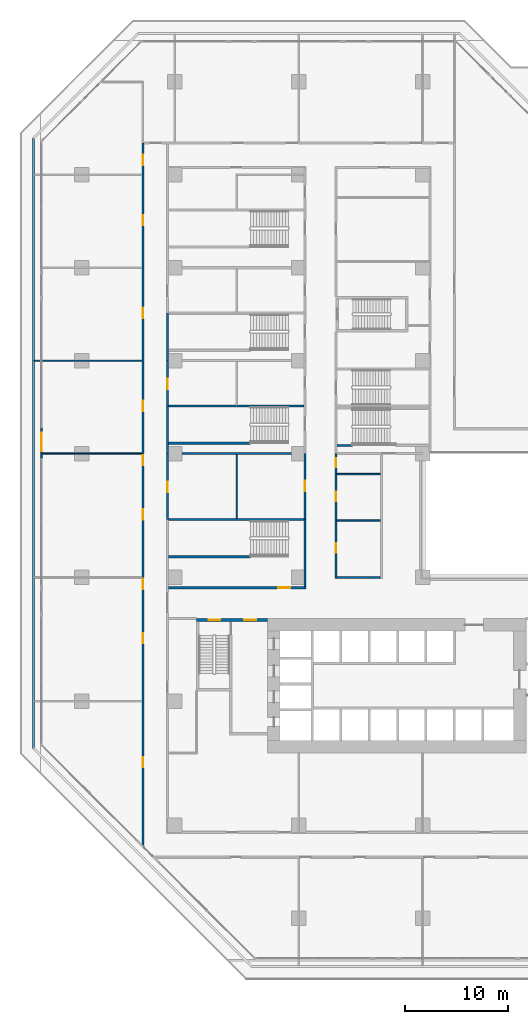
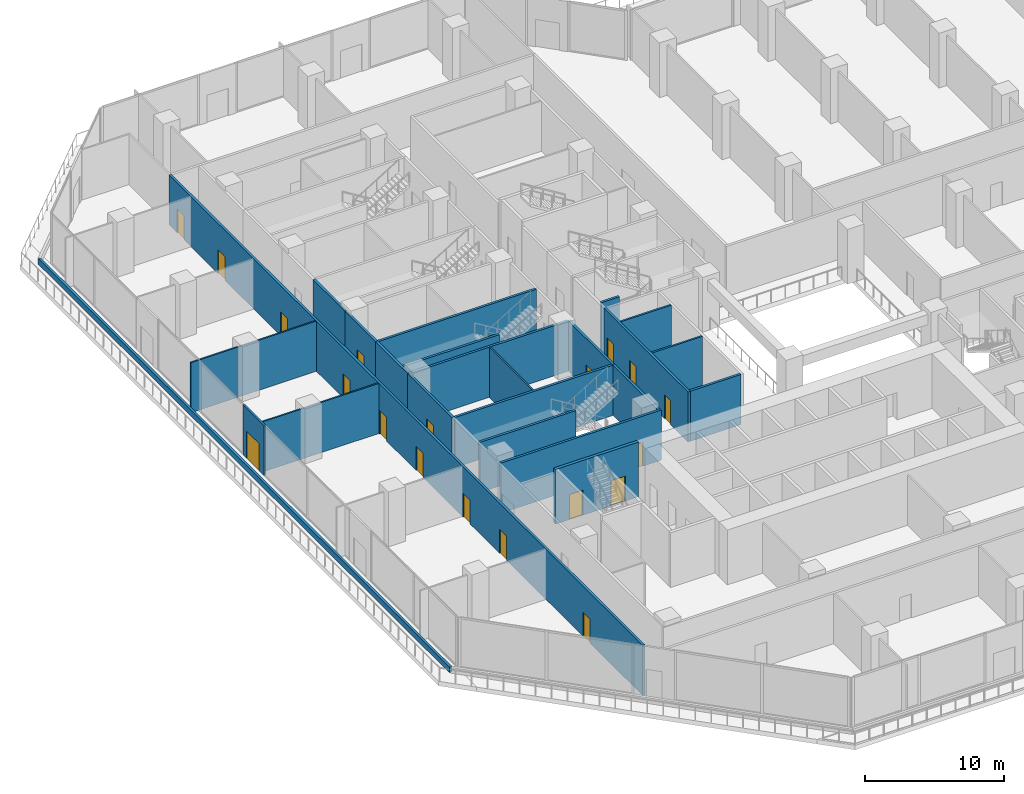
# One storey, part 17 of 31: 24 walls, 19 doors, 19 openings.
"""IFC4 building model written with IfcOpenShell, lengths in metres."""

from ifc_helpers import new_model, si_unit, direction, frame, frame_2d, origin, place, context, subcontext, project, spatial, rectangle, extrude, material, layer, layer_set, type_object, element, fill, save


model = new_model("IFC4")

# Units and contexts
model_context = context("Model", 3, precision=1e-05, world=origin(), true_north=direction((0.0, 1.0)))
body_context = subcontext(model_context, "Body", "Model", "MODEL_VIEW")
ifc_project = project(units=[si_unit("LENGTHUNIT", "METRE"), si_unit("AREAUNIT", "SQUARE_METRE"), si_unit("VOLUMEUNIT", "CUBIC_METRE"), si_unit("PLANEANGLEUNIT", "RADIAN"), si_unit("MASSUNIT", "GRAM", prefix="KILO")], contexts=[model_context])

# Site, building, storey
site_placement = place(None, origin())
site = spatial("IfcSite", under=ifc_project, at=site_placement, CompositionType="ELEMENT")
building_placement = place(site_placement, origin())
building = spatial("IfcBuilding", under=site, at=building_placement, Name="Chenar Terraces", CompositionType="ELEMENT")
storey_placement = place(building_placement, frame((0.0, 0.0, 7.199951171875)))
storey = spatial("IfcBuildingStorey", under=building, at=storey_placement, Name="L01", CompositionType="ELEMENT", Elevation=7.199951171875)

# Walls
ifc_material_1 = material(Name="Gypsum board on steel studs with mineral wool", Category="steel")
ifc_layer_1 = layer(ifc_material_1, 0.125)
ifc_layer_set_1 = layer_set([ifc_layer_1], Name="Gypsum board on steel studs with mineral wool")
wall_type_1 = type_object("IfcWallType", Name="Acoustic partition 125", PredefinedType="PARTITIONING", material=ifc_layer_set_1)
wall_1_placement = place(storey_placement, frame((-13.60009765625, 45.0, 0.0), z_axis=(0.0, 0.0, 1.0), x_axis=(1.0, 0.0, 0.0)))
element("IfcWall", 1, at=wall_1_placement, inside=storey, type_object=wall_type_1, Name="Partition L01-003", PredefinedType="PARTITIONING", context=body_context, shape_type="SweptSolid", body=[
    extrude(rectangle(XDim=10.400146484375, YDim=0.125, at=frame_2d((5.2001953125, 0.0))), origin(), (0.0, 0.0, 1.0), 4.400146484375),
])
wall_2_placement = place(storey_placement, frame((-12.85107421875, 36.0, 0.0), z_axis=(0.0, 0.0, 1.0), x_axis=(1.0, 0.0, 0.0)))
element("IfcWall", 2, at=wall_2_placement, inside=storey, type_object=wall_type_1, Name="Partition L01-006", PredefinedType="PARTITIONING", context=body_context, shape_type="SweptSolid", body=[
    extrude(rectangle(XDim=9.651123046875, YDim=0.125, at=frame_2d((4.82568359375, 0.0))), origin(), (0.0, 0.0, 1.0), 4.400146484375),
])
wall_3_placement = place(storey_placement, frame((6.0, 29.699951171875, 0.0), z_axis=(0.0, 0.0, 1.0), x_axis=(0.0, 1.0, 0.0)))
element("IfcWall", 3, at=wall_3_placement, inside=storey, type_object=wall_type_1, Name="Partition L01-036", PredefinedType="PARTITIONING", context=body_context, shape_type="SweptSolid", body=[
    extrude(rectangle(XDim=6.199951171875, YDim=0.125, at=frame_2d((3.10009765625, 0.0))), origin(), (0.0, 0.0, 1.0), 4.400146484375),
])

# Wall, openings, doors
ifc_material_2 = material(Name="Concrete C70/85", Category="concrete")
ifc_layer_2 = layer(ifc_material_2, 0.25)
ifc_layer_set_2 = layer_set([ifc_layer_2], Name="Concrete C70/85")
wall_type_2 = type_object("IfcWallType", Name="Core wall 250 Concrete C70/85", PredefinedType="SHEAR", material=ifc_layer_set_2)
wall_4_placement = place(storey_placement, frame((2.10009765625, 19.875, 0.0), z_axis=(0.0, 0.0, 1.0), x_axis=(1.0, 0.0, 0.0)))
wall_4 = element("IfcWall", 4, at=wall_4_placement, inside=storey, type_object=wall_type_2, Name="Core wall A_N L01", PredefinedType="SHEAR", context=body_context, shape_type="SweptSolid", body=[
    extrude(rectangle(XDim=6.89990234375, YDim=0.25, at=frame_2d((3.449951171875, 0.0))), origin(), (0.0, 0.0, 1.0), 4.800048828125),
])
opening_1_placement = place(wall_4_placement, frame((1.175048828125, 0.0, 0.0)))
opening_1 = element("IfcOpeningElement", 5, at=opening_1_placement, cuts=wall_4, Name="Opening DL01-C5", PredefinedType="OPENING", context=body_context, shape_type="SweptSolid", body=[
    extrude(rectangle(XDim=1.10009765625, YDim=2.199951171875, at=frame_2d((0.550048828125, 1.10009765625))), frame((0.0, 0.135009765625, 0.0), z_axis=(0.0, -1.0, 0.0), x_axis=(1.0, 0.0, 0.0)), (0.0, 0.0, 1.0), 0.27001953125),
])
opening_2_placement = place(wall_4_placement, frame((4.60009765625, 0.0, 0.0)))
opening_2 = element("IfcOpeningElement", 6, at=opening_2_placement, cuts=wall_4, Name="Opening DL01-C6", PredefinedType="OPENING", context=body_context, shape_type="SweptSolid", body=[
    extrude(rectangle(XDim=1.199951171875, YDim=2.199951171875, at=frame_2d((0.60009765625, 1.10009765625))), frame((0.0, 0.135009765625, 0.0), z_axis=(0.0, -1.0, 0.0), x_axis=(1.0, 0.0, 0.0)), (0.0, 0.0, 1.0), 0.27001953125),
])
ifc_material_3 = material(Name="Steel-framed fire-resisting door leaf", Category="steel")
door_type_1 = type_object("IfcDoorType", Name="Lobby fire door FD60 1200 x 2200", OperationType="SINGLE_SWING_LEFT", PredefinedType="DOOR", material=ifc_material_3)
door_1_placement = place(opening_2_placement, frame((1.199951171875, 0.0, 0.0), z_axis=(0.0, 0.0, 1.0), x_axis=(-1.0, 0.0, 0.0)))
door_1 = element("IfcDoor", 7, at=door_1_placement, inside=storey, type_object=door_type_1, Name="Core door DL01-C6", OperationType="SINGLE_SWING_LEFT", OverallHeight=2.199951171875, OverallWidth=1.199951171875, PredefinedType="DOOR", context=body_context, shape_type="SweptSolid", body=[
    extrude(rectangle(XDim=1.199951171875, YDim=2.199951171875, at=frame_2d((0.60009765625, 1.10009765625))), frame((0.0, 0.02490234375, 0.0), z_axis=(0.0, -1.0, 0.0), x_axis=(1.0, 0.0, 0.0)), (0.0, 0.0, 1.0), 0.050048828125),
])
fill(opening_2, door_1)
ifc_material_4 = material(Name="Steel-framed fire-resisting door leaf", Category="steel")
door_type_2 = type_object("IfcDoorType", Name="Stair fire door FD60 1100 x 2200", OperationType="SINGLE_SWING_LEFT", PredefinedType="DOOR", material=ifc_material_4)
door_2_placement = place(opening_1_placement, origin())
door_2 = element("IfcDoor", 8, at=door_2_placement, inside=storey, type_object=door_type_2, Name="Stair door DL01-C5", OperationType="SINGLE_SWING_LEFT", OverallHeight=2.199951171875, OverallWidth=1.10009765625, PredefinedType="DOOR", context=body_context, shape_type="SweptSolid", body=[
    extrude(rectangle(XDim=1.10009765625, YDim=2.199951171875, at=frame_2d((0.550048828125, 1.10009765625))), frame((0.0, 0.02490234375, 0.0), z_axis=(0.0, -1.0, 0.0), x_axis=(1.0, 0.0, 0.0)), (0.0, 0.0, 1.0), 0.050048828125),
])
fill(opening_1, door_2)

ifc_material_5 = material(Name="Gypsum board on steel studs with fire boards", Category="steel")
ifc_layer_3 = layer(ifc_material_5, 0.199951171875)
ifc_layer_set_3 = layer_set([ifc_layer_3], Name="Gypsum board on steel studs with fire boards")
wall_type_3 = type_object("IfcWallType", Name="Corridor wall 200", PredefinedType="PARTITIONING", material=ifc_layer_set_3)
wall_5_placement = place(storey_placement, frame((-3.10009765625, -1.952880859375, 0.0), z_axis=(0.0, 0.0, 1.0), x_axis=(0.0, 1.0, 0.0)))
wall_5 = element("IfcWall", 9, at=wall_5_placement, inside=storey, type_object=wall_type_3, Name="Partition L01-008", PredefinedType="PARTITIONING", context=body_context, shape_type="SweptSolid", body=[
    extrude(rectangle(XDim=68.052978515625, YDim=0.199951171875, at=frame_2d((34.0263671875, 0.0))), origin(), (0.0, 0.0, 1.0), 4.400146484375),
])
opening_3_placement = place(wall_5_placement, frame((7.552978515625, 0.0, 0.0)))
opening_3 = element("IfcOpeningElement", 10, at=opening_3_placement, cuts=wall_5, Name="Opening DL01-71", PredefinedType="OPENING", context=body_context, shape_type="SweptSolid", body=[
    extrude(rectangle(XDim=1.0, YDim=2.10009765625, at=frame_2d((0.5, 1.050048828125))), frame((0.0, 0.10986328125, 0.0), z_axis=(0.0, -1.0, 0.0), x_axis=(1.0, 0.0, 0.0)), (0.0, 0.0, 1.0), 0.219970703125),
])
opening_4_placement = place(wall_5_placement, frame((19.552978515625, 0.0, 0.0)))
opening_4 = element("IfcOpeningElement", 11, at=opening_4_placement, cuts=wall_5, Name="Opening DL01-72", PredefinedType="OPENING", context=body_context, shape_type="SweptSolid", body=[
    extrude(rectangle(XDim=1.0, YDim=2.10009765625, at=frame_2d((0.5, 1.050048828125))), frame((0.0, 0.10986328125, 0.0), z_axis=(0.0, -1.0, 0.0), x_axis=(1.0, 0.0, 0.0)), (0.0, 0.0, 1.0), 0.219970703125),
])
opening_5_placement = place(wall_5_placement, frame((24.802978515625, 0.0, 0.0)))
opening_5 = element("IfcOpeningElement", 12, at=opening_5_placement, cuts=wall_5, Name="Opening DL01-73", PredefinedType="OPENING", context=body_context, shape_type="SweptSolid", body=[
    extrude(rectangle(XDim=1.0, YDim=2.10009765625, at=frame_2d((0.5, 1.050048828125))), frame((0.0, 0.10986328125, 0.0), z_axis=(0.0, -1.0, 0.0), x_axis=(1.0, 0.0, 0.0)), (0.0, 0.0, 1.0), 0.219970703125),
])
opening_6_placement = place(wall_5_placement, frame((31.552978515625, 0.0, 0.0)))
opening_6 = element("IfcOpeningElement", 13, at=opening_6_placement, cuts=wall_5, Name="Opening DL01-74", PredefinedType="OPENING", context=body_context, shape_type="SweptSolid", body=[
    extrude(rectangle(XDim=1.0, YDim=2.10009765625, at=frame_2d((0.5, 1.050048828125))), frame((0.0, 0.10986328125, 0.0), z_axis=(0.0, -1.0, 0.0), x_axis=(1.0, 0.0, 0.0)), (0.0, 0.0, 1.0), 0.219970703125),
])
opening_7_placement = place(wall_5_placement, frame((36.802978515625, 0.0, 0.0)))
opening_7 = element("IfcOpeningElement", 14, at=opening_7_placement, cuts=wall_5, Name="Opening DL01-75", PredefinedType="OPENING", context=body_context, shape_type="SweptSolid", body=[
    extrude(rectangle(XDim=1.0, YDim=2.10009765625, at=frame_2d((0.5, 1.050048828125))), frame((0.0, 0.10986328125, 0.0), z_axis=(0.0, -1.0, 0.0), x_axis=(1.0, 0.0, 0.0)), (0.0, 0.0, 1.0), 0.219970703125),
])
opening_8_placement = place(wall_5_placement, frame((42.052978515625, 0.0, 0.0)))
opening_8 = element("IfcOpeningElement", 15, at=opening_8_placement, cuts=wall_5, Name="Opening DL01-76", PredefinedType="OPENING", context=body_context, shape_type="SweptSolid", body=[
    extrude(rectangle(XDim=1.0, YDim=2.10009765625, at=frame_2d((0.5, 1.050048828125))), frame((0.0, 0.10986328125, 0.0), z_axis=(0.0, -1.0, 0.0), x_axis=(1.0, 0.0, 0.0)), (0.0, 0.0, 1.0), 0.219970703125),
])
opening_9_placement = place(wall_5_placement, frame((51.052978515625, 0.0, 0.0)))
opening_9 = element("IfcOpeningElement", 16, at=opening_9_placement, cuts=wall_5, Name="Opening DL01-77", PredefinedType="OPENING", context=body_context, shape_type="SweptSolid", body=[
    extrude(rectangle(XDim=1.0, YDim=2.10009765625, at=frame_2d((0.5, 1.050048828125))), frame((0.0, 0.10986328125, 0.0), z_axis=(0.0, -1.0, 0.0), x_axis=(1.0, 0.0, 0.0)), (0.0, 0.0, 1.0), 0.219970703125),
])
opening_10_placement = place(wall_5_placement, frame((60.052978515625, 0.0, 0.0)))
opening_10 = element("IfcOpeningElement", 17, at=opening_10_placement, cuts=wall_5, Name="Opening DL01-78", PredefinedType="OPENING", context=body_context, shape_type="SweptSolid", body=[
    extrude(rectangle(XDim=1.0, YDim=2.10009765625, at=frame_2d((0.5, 1.050048828125))), frame((0.0, 0.10986328125, 0.0), z_axis=(0.0, -1.0, 0.0), x_axis=(1.0, 0.0, 0.0)), (0.0, 0.0, 1.0), 0.219970703125),
])
opening_11_placement = place(wall_5_placement, frame((65.903076171875, 0.0, 0.0)))
opening_11 = element("IfcOpeningElement", 18, at=opening_11_placement, cuts=wall_5, Name="Opening DL01-79", PredefinedType="OPENING", context=body_context, shape_type="SweptSolid", body=[
    extrude(rectangle(XDim=1.0, YDim=2.10009765625, at=frame_2d((0.5, 1.050048828125))), frame((0.0, 0.10986328125, 0.0), z_axis=(0.0, -1.0, 0.0), x_axis=(1.0, 0.0, 0.0)), (0.0, 0.0, 1.0), 0.219970703125),
])
ifc_material_6 = material(Name="Steel-framed fire-resisting door leaf", Category="steel")
door_type_3 = type_object("IfcDoorType", Name="Fire door FD60 1000 x 2100", OperationType="SINGLE_SWING_LEFT", PredefinedType="DOOR", material=ifc_material_6)
door_3_placement = place(opening_3_placement, origin())
door_3 = element("IfcDoor", 19, at=door_3_placement, inside=storey, type_object=door_type_3, Name="Door DL01-71", OperationType="SINGLE_SWING_RIGHT", OverallHeight=2.10009765625, OverallWidth=1.0, PredefinedType="DOOR", context=body_context, shape_type="SweptSolid", body=[
    extrude(rectangle(XDim=1.0, YDim=2.10009765625, at=frame_2d((0.5, 1.050048828125))), frame((0.0, 0.02490234375, 0.0), z_axis=(0.0, -1.0, 0.0), x_axis=(1.0, 0.0, 0.0)), (0.0, 0.0, 1.0), 0.050048828125),
])
fill(opening_3, door_3)
door_4_placement = place(opening_4_placement, frame((1.0, 0.0, 0.0), z_axis=(0.0, 0.0, 1.0), x_axis=(-1.0, 0.0, 0.0)))
door_4 = element("IfcDoor", 20, at=door_4_placement, inside=storey, type_object=door_type_3, Name="Door DL01-72", OperationType="SINGLE_SWING_LEFT", OverallHeight=2.10009765625, OverallWidth=1.0, PredefinedType="DOOR", context=body_context, shape_type="SweptSolid", body=[
    extrude(rectangle(XDim=1.0, YDim=2.10009765625, at=frame_2d((0.5, 1.050048828125))), frame((0.0, 0.02490234375, 0.0), z_axis=(0.0, -1.0, 0.0), x_axis=(1.0, 0.0, 0.0)), (0.0, 0.0, 1.0), 0.050048828125),
])
fill(opening_4, door_4)
door_5_placement = place(opening_5_placement, frame((1.0, 0.0, 0.0), z_axis=(0.0, 0.0, 1.0), x_axis=(-1.0, 0.0, 0.0)))
door_5 = element("IfcDoor", 21, at=door_5_placement, inside=storey, type_object=door_type_3, Name="Door DL01-73", OperationType="SINGLE_SWING_LEFT", OverallHeight=2.10009765625, OverallWidth=1.0, PredefinedType="DOOR", context=body_context, shape_type="SweptSolid", body=[
    extrude(rectangle(XDim=1.0, YDim=2.10009765625, at=frame_2d((0.5, 1.050048828125))), frame((0.0, 0.02490234375, 0.0), z_axis=(0.0, -1.0, 0.0), x_axis=(1.0, 0.0, 0.0)), (0.0, 0.0, 1.0), 0.050048828125),
])
fill(opening_5, door_5)
door_6_placement = place(opening_6_placement, origin())
door_6 = element("IfcDoor", 22, at=door_6_placement, inside=storey, type_object=door_type_3, Name="Door DL01-74", OperationType="SINGLE_SWING_RIGHT", OverallHeight=2.10009765625, OverallWidth=1.0, PredefinedType="DOOR", context=body_context, shape_type="SweptSolid", body=[
    extrude(rectangle(XDim=1.0, YDim=2.10009765625, at=frame_2d((0.5, 1.050048828125))), frame((0.0, 0.02490234375, 0.0), z_axis=(0.0, -1.0, 0.0), x_axis=(1.0, 0.0, 0.0)), (0.0, 0.0, 1.0), 0.050048828125),
])
fill(opening_6, door_6)
door_7_placement = place(opening_7_placement, origin())
door_7 = element("IfcDoor", 23, at=door_7_placement, inside=storey, type_object=door_type_3, Name="Door DL01-75", OperationType="SINGLE_SWING_RIGHT", OverallHeight=2.10009765625, OverallWidth=1.0, PredefinedType="DOOR", context=body_context, shape_type="SweptSolid", body=[
    extrude(rectangle(XDim=1.0, YDim=2.10009765625, at=frame_2d((0.5, 1.050048828125))), frame((0.0, 0.02490234375, 0.0), z_axis=(0.0, -1.0, 0.0), x_axis=(1.0, 0.0, 0.0)), (0.0, 0.0, 1.0), 0.050048828125),
])
fill(opening_7, door_7)
door_8_placement = place(opening_8_placement, origin())
door_8 = element("IfcDoor", 24, at=door_8_placement, inside=storey, type_object=door_type_3, Name="Door DL01-76", OperationType="SINGLE_SWING_LEFT", OverallHeight=2.10009765625, OverallWidth=1.0, PredefinedType="DOOR", context=body_context, shape_type="SweptSolid", body=[
    extrude(rectangle(XDim=1.0, YDim=2.10009765625, at=frame_2d((0.5, 1.050048828125))), frame((0.0, 0.02490234375, 0.0), z_axis=(0.0, -1.0, 0.0), x_axis=(1.0, 0.0, 0.0)), (0.0, 0.0, 1.0), 0.050048828125),
])
fill(opening_8, door_8)
door_9_placement = place(opening_9_placement, origin())
door_9 = element("IfcDoor", 25, at=door_9_placement, inside=storey, type_object=door_type_3, Name="Door DL01-77", OperationType="SINGLE_SWING_LEFT", OverallHeight=2.10009765625, OverallWidth=1.0, PredefinedType="DOOR", context=body_context, shape_type="SweptSolid", body=[
    extrude(rectangle(XDim=1.0, YDim=2.10009765625, at=frame_2d((0.5, 1.050048828125))), frame((0.0, 0.02490234375, 0.0), z_axis=(0.0, -1.0, 0.0), x_axis=(1.0, 0.0, 0.0)), (0.0, 0.0, 1.0), 0.050048828125),
])
fill(opening_9, door_9)
door_10_placement = place(opening_10_placement, origin())
door_10 = element("IfcDoor", 26, at=door_10_placement, inside=storey, type_object=door_type_3, Name="Door DL01-78", OperationType="SINGLE_SWING_LEFT", OverallHeight=2.10009765625, OverallWidth=1.0, PredefinedType="DOOR", context=body_context, shape_type="SweptSolid", body=[
    extrude(rectangle(XDim=1.0, YDim=2.10009765625, at=frame_2d((0.5, 1.050048828125))), frame((0.0, 0.02490234375, 0.0), z_axis=(0.0, -1.0, 0.0), x_axis=(1.0, 0.0, 0.0)), (0.0, 0.0, 1.0), 0.050048828125),
])
fill(opening_10, door_10)
door_11_placement = place(opening_11_placement, origin())
door_11 = element("IfcDoor", 27, at=door_11_placement, inside=storey, type_object=door_type_3, Name="Door DL01-79", OperationType="SINGLE_SWING_LEFT", OverallHeight=2.10009765625, OverallWidth=1.0, PredefinedType="DOOR", context=body_context, shape_type="SweptSolid", body=[
    extrude(rectangle(XDim=1.0, YDim=2.10009765625, at=frame_2d((0.5, 1.050048828125))), frame((0.0, 0.02490234375, 0.0), z_axis=(0.0, -1.0, 0.0), x_axis=(1.0, 0.0, 0.0)), (0.0, 0.0, 1.0), 0.050048828125),
])
fill(opening_11, door_11)

# Wall, opening, door
wall_6_placement = place(storey_placement, frame((-0.699951171875, 29.60009765625, 0.0), z_axis=(0.0, 0.0, 1.0), x_axis=(0.0, 1.0, 0.0)))
wall_6 = element("IfcWall", 28, at=wall_6_placement, inside=storey, type_object=wall_type_3, Name="Partition L01-015", PredefinedType="PARTITIONING", context=body_context, shape_type="SweptSolid", body=[
    extrude(rectangle(XDim=6.39990234375, YDim=0.199951171875, at=frame_2d((3.199951171875, 0.0))), origin(), (0.0, 0.0, 1.0), 4.400146484375),
])
opening_12_placement = place(wall_6_placement, frame((2.64990234375, 0.0, 0.0)))
opening_12 = element("IfcOpeningElement", 29, at=opening_12_placement, cuts=wall_6, Name="Opening DL01-37", PredefinedType="OPENING", context=body_context, shape_type="SweptSolid", body=[
    extrude(rectangle(XDim=1.0, YDim=2.10009765625, at=frame_2d((0.5, 1.050048828125))), frame((0.0, 0.10986328125, 0.0), z_axis=(0.0, -1.0, 0.0), x_axis=(1.0, 0.0, 0.0)), (0.0, 0.0, 1.0), 0.219970703125),
])
door_12_placement = place(opening_12_placement, frame((1.0, 0.0, 0.0), z_axis=(0.0, 0.0, 1.0), x_axis=(-1.0, 0.0, 0.0)))
door_12 = element("IfcDoor", 30, at=door_12_placement, inside=storey, type_object=door_type_3, Name="Door DL01-37", OperationType="SINGLE_SWING_LEFT", OverallHeight=2.10009765625, OverallWidth=1.0, PredefinedType="DOOR", context=body_context, shape_type="SweptSolid", body=[
    extrude(rectangle(XDim=1.0, YDim=2.10009765625, at=frame_2d((0.5, 1.050048828125))), frame((0.0, 0.02490234375, 0.0), z_axis=(0.0, -1.0, 0.0), x_axis=(1.0, 0.0, 0.0)), (0.0, 0.0, 1.0), 0.050048828125),
])
fill(opening_12, door_12)

wall_7_placement = place(storey_placement, frame((-0.699951171875, 40.60009765625, 0.0), z_axis=(0.0, 0.0, 1.0), x_axis=(0.0, 1.0, 0.0)))
wall_7 = element("IfcWall", 31, at=wall_7_placement, inside=storey, type_object=wall_type_3, Name="Partition L01-017", PredefinedType="PARTITIONING", context=body_context, shape_type="SweptSolid", body=[
    extrude(rectangle(XDim=4.39990234375, YDim=0.199951171875, at=frame_2d((2.199951171875, 0.0))), origin(), (0.0, 0.0, 1.0), 4.400146484375),
])
opening_13_placement = place(wall_7_placement, frame((1.64990234375, 0.0, 0.0)))
opening_13 = element("IfcOpeningElement", 32, at=opening_13_placement, cuts=wall_7, Name="Opening DL01-38", PredefinedType="OPENING", context=body_context, shape_type="SweptSolid", body=[
    extrude(rectangle(XDim=1.0, YDim=2.10009765625, at=frame_2d((0.5, 1.050048828125))), frame((0.0, 0.10986328125, 0.0), z_axis=(0.0, -1.0, 0.0), x_axis=(1.0, 0.0, 0.0)), (0.0, 0.0, 1.0), 0.219970703125),
])
door_13_placement = place(opening_13_placement, frame((1.0, 0.0, 0.0), z_axis=(0.0, 0.0, 1.0), x_axis=(-1.0, 0.0, 0.0)))
door_13 = element("IfcDoor", 33, at=door_13_placement, inside=storey, type_object=door_type_3, Name="Door DL01-38", OperationType="SINGLE_SWING_LEFT", OverallHeight=2.10009765625, OverallWidth=1.0, PredefinedType="DOOR", context=body_context, shape_type="SweptSolid", body=[
    extrude(rectangle(XDim=1.0, YDim=2.10009765625, at=frame_2d((0.5, 1.050048828125))), frame((0.0, 0.02490234375, 0.0), z_axis=(0.0, -1.0, 0.0), x_axis=(1.0, 0.0, 0.0)), (0.0, 0.0, 1.0), 0.050048828125),
])
fill(opening_13, door_13)

wall_8_placement = place(storey_placement, frame((12.60009765625, 29.60009765625, 0.0), z_axis=(0.0, 0.0, 1.0), x_axis=(0.0, 1.0, 0.0)))
wall_8 = element("IfcWall", 34, at=wall_8_placement, inside=storey, type_object=wall_type_3, Name="Partition L01-044", PredefinedType="PARTITIONING", context=body_context, shape_type="SweptSolid", body=[
    extrude(rectangle(XDim=6.39990234375, YDim=0.199951171875, at=frame_2d((3.199951171875, 0.0))), origin(), (0.0, 0.0, 1.0), 4.400146484375),
])
opening_14_placement = place(wall_8_placement, frame((2.75, 0.0, 0.0)))
opening_14 = element("IfcOpeningElement", 35, at=opening_14_placement, cuts=wall_8, Name="Opening DL01-12", PredefinedType="OPENING", context=body_context, shape_type="SweptSolid", body=[
    extrude(rectangle(XDim=1.0, YDim=2.10009765625, at=frame_2d((0.5, 1.050048828125))), frame((0.0, 0.10986328125, 0.0), z_axis=(0.0, -1.0, 0.0), x_axis=(1.0, 0.0, 0.0)), (0.0, 0.0, 1.0), 0.219970703125),
])
door_14_placement = place(opening_14_placement, origin())
door_14 = element("IfcDoor", 36, at=door_14_placement, inside=storey, type_object=door_type_3, Name="Door DL01-12", OperationType="SINGLE_SWING_RIGHT", OverallHeight=2.10009765625, OverallWidth=1.0, PredefinedType="DOOR", context=body_context, shape_type="SweptSolid", body=[
    extrude(rectangle(XDim=1.0, YDim=2.10009765625, at=frame_2d((0.5, 1.050048828125))), frame((0.0, 0.02490234375, 0.0), z_axis=(0.0, -1.0, 0.0), x_axis=(1.0, 0.0, 0.0)), (0.0, 0.0, 1.0), 0.050048828125),
])
fill(opening_14, door_14)

# Wall, openings, doors
wall_9_placement = place(storey_placement, frame((15.60009765625, 23.89990234375, 0.0), z_axis=(0.0, 0.0, 1.0), x_axis=(0.0, 1.0, 0.0)))
wall_9 = element("IfcWall", 37, at=wall_9_placement, inside=storey, type_object=wall_type_3, Name="Partition L01-052", PredefinedType="PARTITIONING", context=body_context, shape_type="SweptSolid", body=[
    extrude(rectangle(XDim=12.10009765625, YDim=0.199951171875, at=frame_2d((6.050048828125, 0.0))), origin(), (0.0, 0.0, 1.0), 4.400146484375),
])
opening_15_placement = place(wall_9_placement, frame((10.75, 0.0, 0.0)))
opening_15 = element("IfcOpeningElement", 38, at=opening_15_placement, cuts=wall_9, Name="Opening DL01-89", PredefinedType="OPENING", context=body_context, shape_type="SweptSolid", body=[
    extrude(rectangle(XDim=0.89990234375, YDim=2.10009765625, at=frame_2d((0.449951171875, 1.050048828125))), frame((0.0, 0.10986328125, 0.0), z_axis=(0.0, -1.0, 0.0), x_axis=(1.0, 0.0, 0.0)), (0.0, 0.0, 1.0), 0.219970703125),
])
opening_16_placement = place(wall_9_placement, frame((7.5, 0.0, 0.0)))
opening_16 = element("IfcOpeningElement", 39, at=opening_16_placement, cuts=wall_9, Name="Opening DL01-90", PredefinedType="OPENING", context=body_context, shape_type="SweptSolid", body=[
    extrude(rectangle(XDim=0.89990234375, YDim=2.10009765625, at=frame_2d((0.449951171875, 1.050048828125))), frame((0.0, 0.10986328125, 0.0), z_axis=(0.0, -1.0, 0.0), x_axis=(1.0, 0.0, 0.0)), (0.0, 0.0, 1.0), 0.219970703125),
])
opening_17_placement = place(wall_9_placement, frame((2.5, 0.0, 0.0)))
opening_17 = element("IfcOpeningElement", 40, at=opening_17_placement, cuts=wall_9, Name="Opening DL01-91", PredefinedType="OPENING", context=body_context, shape_type="SweptSolid", body=[
    extrude(rectangle(XDim=0.89990234375, YDim=2.10009765625, at=frame_2d((0.449951171875, 1.050048828125))), frame((0.0, 0.10986328125, 0.0), z_axis=(0.0, -1.0, 0.0), x_axis=(1.0, 0.0, 0.0)), (0.0, 0.0, 1.0), 0.219970703125),
])
ifc_material_7 = material(Name="Steel-framed fire-resisting door leaf", Category="steel")
door_type_4 = type_object("IfcDoorType", Name="Fire door FD60 900 x 2100", OperationType="SINGLE_SWING_LEFT", PredefinedType="DOOR", material=ifc_material_7)
door_15_placement = place(opening_15_placement, frame((0.89990234375, 0.0, 0.0), z_axis=(0.0, 0.0, 1.0), x_axis=(-1.0, 0.0, 0.0)))
door_15 = element("IfcDoor", 41, at=door_15_placement, inside=storey, type_object=door_type_4, Name="Door DL01-89", OperationType="SINGLE_SWING_LEFT", OverallHeight=2.10009765625, OverallWidth=0.89990234375, PredefinedType="DOOR", context=body_context, shape_type="SweptSolid", body=[
    extrude(rectangle(XDim=0.89990234375, YDim=2.10009765625, at=frame_2d((0.449951171875, 1.050048828125))), frame((0.0, 0.02490234375, 0.0), z_axis=(0.0, -1.0, 0.0), x_axis=(1.0, 0.0, 0.0)), (0.0, 0.0, 1.0), 0.050048828125),
])
fill(opening_15, door_15)
door_16_placement = place(opening_16_placement, frame((0.89990234375, 0.0, 0.0), z_axis=(0.0, 0.0, 1.0), x_axis=(-1.0, 0.0, 0.0)))
door_16 = element("IfcDoor", 42, at=door_16_placement, inside=storey, type_object=door_type_4, Name="Door DL01-90", OperationType="SINGLE_SWING_RIGHT", OverallHeight=2.10009765625, OverallWidth=0.89990234375, PredefinedType="DOOR", context=body_context, shape_type="SweptSolid", body=[
    extrude(rectangle(XDim=0.89990234375, YDim=2.10009765625, at=frame_2d((0.449951171875, 1.050048828125))), frame((0.0, 0.02490234375, 0.0), z_axis=(0.0, -1.0, 0.0), x_axis=(1.0, 0.0, 0.0)), (0.0, 0.0, 1.0), 0.050048828125),
])
fill(opening_16, door_16)
door_17_placement = place(opening_17_placement, frame((0.89990234375, 0.0, 0.0), z_axis=(0.0, 0.0, 1.0), x_axis=(-1.0, 0.0, 0.0)))
door_17 = element("IfcDoor", 43, at=door_17_placement, inside=storey, type_object=door_type_4, Name="Door DL01-91", OperationType="SINGLE_SWING_RIGHT", OverallHeight=2.10009765625, OverallWidth=0.89990234375, PredefinedType="DOOR", context=body_context, shape_type="SweptSolid", body=[
    extrude(rectangle(XDim=0.89990234375, YDim=2.10009765625, at=frame_2d((0.449951171875, 1.050048828125))), frame((0.0, 0.02490234375, 0.0), z_axis=(0.0, -1.0, 0.0), x_axis=(1.0, 0.0, 0.0)), (0.0, 0.0, 1.0), 0.050048828125),
])
fill(opening_17, door_17)

# Wall
wall_10_placement = place(storey_placement, frame((15.699951171875, 24.0, 0.0), z_axis=(0.0, 0.0, 1.0), x_axis=(1.0, 0.0, 0.0)))
element("IfcWall", 44, at=wall_10_placement, inside=storey, type_object=wall_type_3, Name="Partition L01-057", PredefinedType="PARTITIONING", context=body_context, shape_type="SweptSolid", body=[
    extrude(rectangle(XDim=4.199951171875, YDim=0.199951171875, at=frame_2d((2.10009765625, 0.0))), origin(), (0.0, 0.0, 1.0), 4.400146484375),
])

# Wall, opening, door
ifc_material_8 = material(Name="Aluminium framed glazing", Category="aluminium")
ifc_layer_4 = layer(ifc_material_8, 0.14990234375)
ifc_layer_set_4 = layer_set([ifc_layer_4], Name="Aluminium framed glazing")
wall_type_4 = type_object("IfcWallType", Name="Podium glazed wall 150", PredefinedType="SOLIDWALL", material=ifc_layer_set_4)
wall_11_placement = place(storey_placement, frame((-12.925048828125, 38.5, 0.0), z_axis=(0.0, 0.0, 1.0), x_axis=(0.0, -1.0, 0.0)))
wall_11 = element("IfcWall", 45, at=wall_11_placement, inside=storey, type_object=wall_type_4, Name="Podium glazed wall", PredefinedType="SOLIDWALL", context=body_context, shape_type="SweptSolid", body=[
    extrude(rectangle(XDim=3.0, YDim=0.14990234375, at=frame_2d((1.5, 0.0))), origin(), (0.0, 0.0, 1.0), 4.400146484375),
])
opening_18_placement = place(wall_11_placement, frame((0.5, 0.0, 0.0)))
opening_18 = element("IfcOpeningElement", 46, at=opening_18_placement, cuts=wall_11, Name="Opening DL01-T2", PredefinedType="OPENING", context=body_context, shape_type="SweptSolid", body=[
    extrude(rectangle(XDim=1.800048828125, YDim=2.39990234375, at=frame_2d((0.89990234375, 1.199951171875))), frame((0.0, 0.0849609375, 0.0), z_axis=(0.0, -1.0, 0.0), x_axis=(1.0, 0.0, 0.0)), (0.0, 0.0, 1.0), 0.169921875),
])
ifc_material_9 = material(Name="Low emissivity double glazing, aluminium frame", Category="aluminium")
door_type_5 = type_object("IfcDoorType", Name="Terrace glazed double door 1800 x 2400", OperationType="DOUBLE_DOOR_SINGLE_SWING", PredefinedType="DOOR", material=ifc_material_9)
door_18_placement = place(opening_18_placement, frame((1.800048828125, 0.0, 0.0), z_axis=(0.0, 0.0, 1.0), x_axis=(-1.0, 0.0, 0.0)))
door_18 = element("IfcDoor", 47, at=door_18_placement, inside=storey, type_object=door_type_5, Name="Terrace glazed door", OperationType="DOUBLE_DOOR_SINGLE_SWING", OverallHeight=2.39990234375, OverallWidth=1.800048828125, PredefinedType="DOOR", context=body_context, shape_type="SweptSolid", body=[
    extrude(rectangle(XDim=1.800048828125, YDim=2.39990234375, at=frame_2d((0.89990234375, 1.199951171875))), frame((0.0, 0.02490234375, 0.0), z_axis=(0.0, -1.0, 0.0), x_axis=(1.0, 0.0, 0.0)), (0.0, 0.0, 1.0), 0.050048828125),
])
fill(opening_18, door_18)

# Walls
ifc_material_10 = material(Name="Reinforced concrete C40/50", Category="concrete")
ifc_layer_5 = layer(ifc_material_10, 0.199951171875)
ifc_layer_set_5 = layer_set([ifc_layer_5], Name="Reinforced concrete C40/50")
wall_type_5 = type_object("IfcWallType", Name="Stair enclosure wall 200 concrete", PredefinedType="SOLIDWALL", material=ifc_layer_set_5)
for number, where, z_axis, x_axis, name in (
    (48, (-0.699951171875, 36.0, 0.0), (0.0, 0.0, 1.0), (0.0, 1.0, 0.0), "Stair enclosure wall L01-016"),
    (49, (-0.699951171875, 45.0, 0.0), (0.0, 0.0, 1.0), (0.0, 1.0, 0.0), "Stair enclosure wall L01-018"),
):
    element("IfcWall", number, at=place(storey_placement, frame(where, z_axis=z_axis, x_axis=x_axis)), inside=storey, type_object=wall_type_5, Name=name, PredefinedType="SOLIDWALL", context=body_context, shape_type="SweptSolid", body=[
        extrude(rectangle(XDim=4.60009765625, YDim=0.199951171875, at=frame_2d((2.300048828125, 0.0))), origin(), (0.0, 0.0, 1.0), 4.400146484375),
    ])

# Wall, opening, door
wall_12_placement = place(storey_placement, frame((-0.60009765625, 23.0, 0.0), z_axis=(0.0, 0.0, 1.0), x_axis=(1.0, 0.0, 0.0)))
wall_12 = element("IfcWall", 50, at=wall_12_placement, inside=storey, type_object=wall_type_5, Name="Stair enclosure wall L01-024", PredefinedType="SOLIDWALL", context=body_context, shape_type="SweptSolid", body=[
    extrude(rectangle(XDim=13.300048828125, YDim=0.199951171875, at=frame_2d((6.64990234375, 0.0))), origin(), (0.0, 0.0, 1.0), 4.400146484375),
])
opening_19_placement = place(wall_12_placement, frame((10.60009765625, 0.0, 0.0)))
opening_19 = element("IfcOpeningElement", 51, at=opening_19_placement, cuts=wall_12, Name="Opening DL01-84", PredefinedType="OPENING", context=body_context, shape_type="SweptSolid", body=[
    extrude(rectangle(XDim=1.199951171875, YDim=2.10009765625, at=frame_2d((0.60009765625, 1.050048828125))), frame((0.0, 0.10986328125, 0.0), z_axis=(0.0, -1.0, 0.0), x_axis=(1.0, 0.0, 0.0)), (0.0, 0.0, 1.0), 0.219970703125),
])
ifc_material_11 = material(Name="Steel-framed fire-resisting door leaf", Category="steel")
door_type_6 = type_object("IfcDoorType", Name="Fire door FD120 1200 x 2100", OperationType="SINGLE_SWING_LEFT", PredefinedType="DOOR", material=ifc_material_11)
door_19_placement = place(opening_19_placement, origin())
door_19 = element("IfcDoor", 52, at=door_19_placement, inside=storey, type_object=door_type_6, Name="Door DL01-84", OperationType="SINGLE_SWING_RIGHT", OverallHeight=2.10009765625, OverallWidth=1.199951171875, PredefinedType="DOOR", context=body_context, shape_type="SweptSolid", body=[
    extrude(rectangle(XDim=1.199951171875, YDim=2.10009765625, at=frame_2d((0.60009765625, 1.050048828125))), frame((0.0, 0.02490234375, 0.0), z_axis=(0.0, -1.0, 0.0), x_axis=(1.0, 0.0, 0.0)), (0.0, 0.0, 1.0), 0.050048828125),
])
fill(opening_19, door_19)

# Walls
for number, where, z_axis, x_axis, name in (
    (53, (-0.60009765625, 29.60009765625, 0.0), (0.0, 0.0, 1.0), (1.0, 0.0, 0.0), "Stair enclosure wall L01-025"),
    (54, (-0.60009765625, 36.0, 0.0), (0.0, 0.0, 1.0), (1.0, 0.0, 0.0), "Stair enclosure wall L01-026"),
    (55, (-0.60009765625, 40.60009765625, 0.0), (0.0, 0.0, 1.0), (1.0, 0.0, 0.0), "Stair enclosure wall L01-027"),
):
    element("IfcWall", number, at=place(storey_placement, frame(where, z_axis=z_axis, x_axis=x_axis)), inside=storey, type_object=wall_type_5, Name=name, PredefinedType="SOLIDWALL", context=body_context, shape_type="SweptSolid", body=[
        extrude(rectangle(XDim=13.10009765625, YDim=0.199951171875, at=frame_2d((6.550048828125, 0.0))), origin(), (0.0, 0.0, 1.0), 4.400146484375),
    ])
wall_13_placement = place(storey_placement, frame((12.60009765625, 23.10009765625, 0.0), z_axis=(0.0, 0.0, 1.0), x_axis=(0.0, 1.0, 0.0)))
element("IfcWall", 56, at=wall_13_placement, inside=storey, type_object=wall_type_5, Name="Stair enclosure wall L01-043", PredefinedType="SOLIDWALL", context=body_context, shape_type="SweptSolid", body=[
    extrude(rectangle(XDim=6.5, YDim=0.199951171875, at=frame_2d((3.25, 0.0))), origin(), (0.0, 0.0, 1.0), 4.400146484375),
])
wall_14_placement = place(storey_placement, frame((-0.60009765625, 26.0, 0.0), z_axis=(0.0, 0.0, 1.0), x_axis=(1.0, 0.0, 0.0)))
element("IfcWall", 57, at=wall_14_placement, inside=storey, type_object=wall_type_5, Name="Stair enclosure wall L01-PS5-031", PredefinedType="SOLIDWALL", context=body_context, shape_type="SweptSolid", body=[
    extrude(rectangle(XDim=7.945068359375, YDim=0.199951171875, at=frame_2d((3.97265625, 0.0))), origin(), (0.0, 0.0, 1.0), 4.400146484375),
])
wall_15_placement = place(storey_placement, frame((15.699951171875, 36.800048828125, 0.0), z_axis=(0.0, 0.0, 1.0), x_axis=(1.0, 0.0, 0.0)))
element("IfcWall", 58, at=wall_15_placement, inside=storey, type_object=wall_type_5, Name="Stair enclosure wall L01-PS7-056", PredefinedType="SOLIDWALL", context=body_context, shape_type="SweptSolid", body=[
    extrude(rectangle(XDim=1.51513671875, YDim=0.199951171875, at=frame_2d((0.757568359375, 0.0))), origin(), (0.0, 0.0, 1.0), 4.400146484375),
])
wall_16_placement = place(storey_placement, frame((-0.60009765625, 37.0, 0.0), z_axis=(0.0, 0.0, 1.0), x_axis=(1.0, 0.0, 0.0)))
element("IfcWall", 59, at=wall_16_placement, inside=storey, type_object=wall_type_5, Name="Stair enclosure wall L01-PS9-065", PredefinedType="SOLIDWALL", context=body_context, shape_type="SweptSolid", body=[
    extrude(rectangle(XDim=7.945068359375, YDim=0.199951171875, at=frame_2d((3.97265625, 0.0))), origin(), (0.0, 0.0, 1.0), 4.400146484375),
])
ifc_material_12 = material(Name="Terracotta cladding on insulated backing", Category="masonry")
ifc_layer_6 = layer(ifc_material_12, 0.199951171875)
ifc_layer_set_6 = layer_set([ifc_layer_6], Name="Terracotta cladding on insulated backing")
wall_type_6 = type_object("IfcWallType", Name="Terrace parapet upstand 200", PredefinedType="PARAPET", material=ifc_layer_set_6)
wall_17_placement = place(storey_placement, frame((-13.699951171875, 7.446533203125, 0.0), z_axis=(0.0, 0.0, 1.0), x_axis=(0.0, 1.0, 0.0)))
element("IfcWall", 60, at=wall_17_placement, inside=storey, type_object=wall_type_6, Name="Terrace parapet", PredefinedType="PARAPET", context=body_context, shape_type="SweptSolid", body=[
    extrude(rectangle(XDim=59.10693359375, YDim=0.199951171875, at=frame_2d((29.553466796875, 0.0))), origin(), (0.0, 0.0, 1.0), 0.5),
])
ifc_material_13 = material(Name="Moisture-resistant gypsum board on steel studs", Category="steel")
ifc_layer_7 = layer(ifc_material_13, 0.14990234375)
ifc_layer_set_7 = layer_set([ifc_layer_7], Name="Moisture-resistant gypsum board on steel studs")
wall_type_7 = type_object("IfcWallType", Name="Wet-room partition 150", PredefinedType="PARTITIONING", material=ifc_layer_set_7)
for number, where, z_axis, x_axis, name in (
    (61, (15.699951171875, 29.5, 0.0), (0.0, 0.0, 1.0), (1.0, 0.0, 0.0), "Partition L01-058"),
    (62, (15.699951171875, 34.0, 0.0), (0.0, 0.0, 1.0), (1.0, 0.0, 0.0), "Partition L01-059"),
):
    element("IfcWall", number, at=place(storey_placement, frame(where, z_axis=z_axis, x_axis=x_axis)), inside=storey, type_object=wall_type_7, Name=name, PredefinedType="PARTITIONING", context=body_context, shape_type="SweptSolid", body=[
        extrude(rectangle(XDim=4.199951171875, YDim=0.14990234375, at=frame_2d((2.10009765625, 0.0))), origin(), (0.0, 0.0, 1.0), 4.400146484375),
    ])

save(model, "model.ifc")
